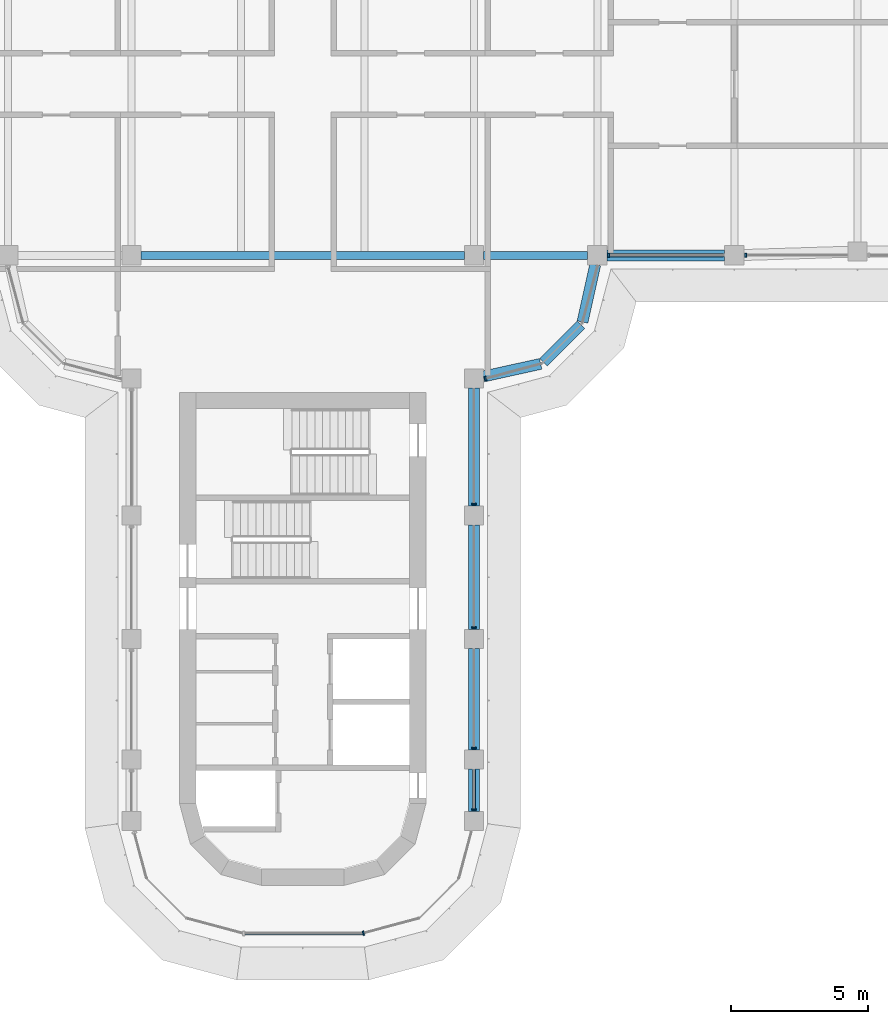
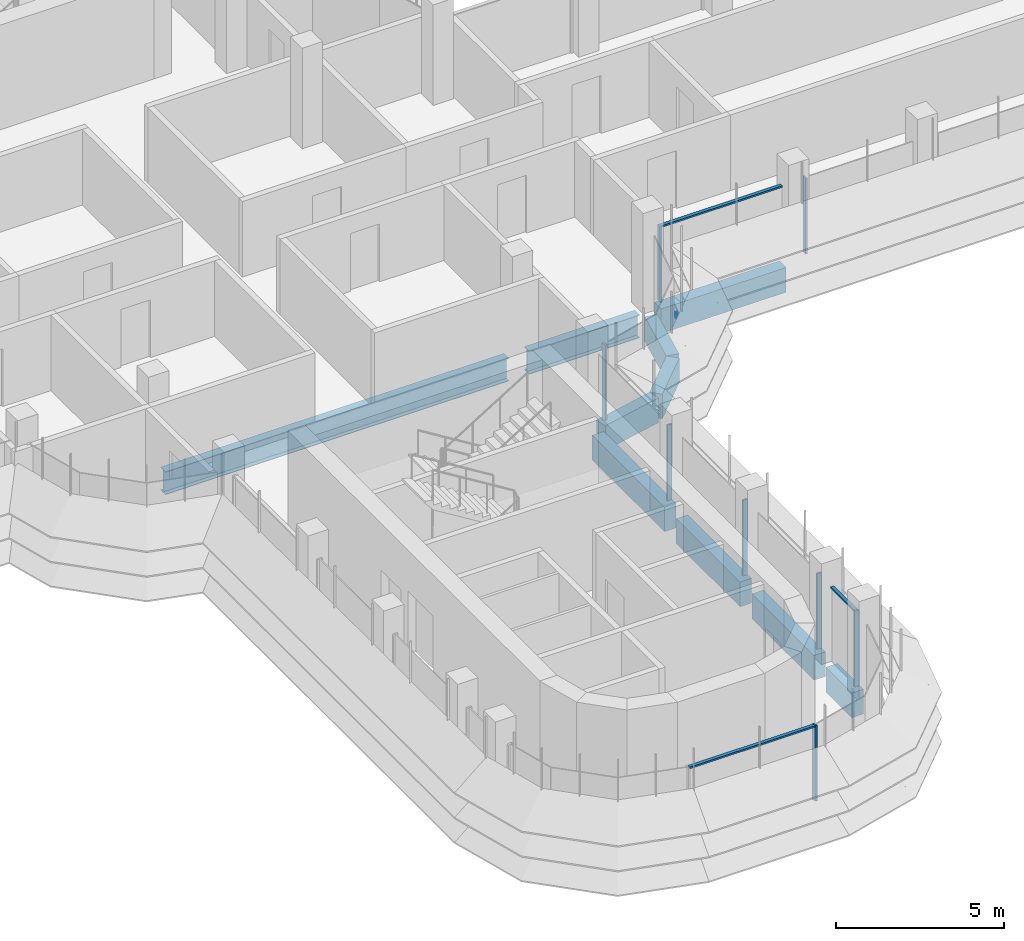
# One storey, part 4 of 19: 11 members, 10 beams, 5 elements without a shape of their own.
"""IFC4 building model written with IfcOpenShell, lengths in metres."""

from ifc_helpers import new_model, si_unit, direction, frame, origin, origin_2d, place, context, subcontext, project, spatial, polyline, rectangle, i_section, outline, extrude, source, transform, mapped, material, material_profile, profile_set, type_object, element, aggregate, save


model = new_model("IFC4")

# Units and contexts
model_context = context("Model", 3, precision=1e-05, world=origin(), true_north=direction((0.0, 1.0)))
body_context = subcontext(model_context, "Body", "Model", "MODEL_VIEW")
ifc_project = project(units=[si_unit("LENGTHUNIT", "METRE"), si_unit("AREAUNIT", "SQUARE_METRE"), si_unit("VOLUMEUNIT", "CUBIC_METRE"), si_unit("PLANEANGLEUNIT", "RADIAN"), si_unit("MASSUNIT", "GRAM", prefix="KILO")], contexts=[model_context])

# Site, building, storey
site_placement = place(None, origin())
site = spatial("IfcSite", under=ifc_project, at=site_placement, CompositionType="ELEMENT")
building_placement = place(site_placement, origin())
building = spatial("IfcBuilding", under=site, at=building_placement, Name="Zarbagh Exchange Tower", CompositionType="ELEMENT")
storey_placement = place(building_placement, frame((0.0, 0.0, 233.39990234375)))
storey = spatial("IfcBuildingStorey", under=building, at=storey_placement, Name="L57", CompositionType="ELEMENT", Elevation=233.39990234375)

# Beams
ifc_material_1 = material(Name="Steel ASTM A992 Gr 50", Category="steel")
ifc_material_profile_1 = material_profile(ifc_material_1, i_section(OverallWidth=0.2919921875, OverallDepth=0.835693359375, WebThickness=0.013916015625, FlangeThickness=0.018798828125, at=origin_2d()), Name="W33X118")
ifc_profile_set_1 = profile_set([ifc_material_profile_1], Name="Steel ASTM A992 Gr 50")
beam_type_1 = type_object("IfcBeamType", Name="Floor girder W33X118", PredefinedType="BEAM", material=ifc_profile_set_1)
beam_1_placement = place(storey_placement, frame((-5.89990234375, -6.25, -0.567626953125), z_axis=(1.0, 0.0, 0.0), x_axis=(0.0, 1.0, 0.0)))
element("IfcBeam", 1, at=beam_1_placement, inside=storey, type_object=beam_type_1, Name="Steel girder", PredefinedType="BEAM", context=body_context, shape_type="SweptSolid", body=[
    extrude(i_section(OverallWidth=0.2919921875, OverallDepth=0.835693359375, WebThickness=0.013916015625, FlangeThickness=0.018798828125, at=origin_2d()), origin(), (0.0, 0.0, 1.0), 11.7998046875),
])
beam_2_placement = place(storey_placement, frame((6.60009765625, -6.25, -0.567626953125), z_axis=(1.0, 0.0, 0.0), x_axis=(0.0, 1.0, 0.0)))
element("IfcBeam", 2, at=beam_2_placement, inside=storey, type_object=beam_type_1, Name="Steel girder", PredefinedType="BEAM", context=body_context, shape_type="SweptSolid", body=[
    extrude(i_section(OverallWidth=0.2919921875, OverallDepth=0.835693359375, WebThickness=0.013916015625, FlangeThickness=0.018798828125, at=origin_2d()), origin(), (0.0, 0.0, 1.0), 3.7998046875),
])
ifc_material_2 = material(Name="Concrete C50/60", Category="concrete")
ifc_material_profile_2 = material_profile(ifc_material_2, rectangle(XDim=0.39990234375, YDim=0.89990234375, at=origin_2d()), Name="RC spandrel beam 400 x 900 C50/60")
ifc_profile_set_2 = profile_set([ifc_material_profile_2], Name="Concrete C50/60")
beam_type_2 = type_object("IfcBeamType", Name="RC spandrel beam 400 x 900 C50/60", PredefinedType="SPANDREL", material=ifc_profile_set_2)
beam_3_placement = place(storey_placement, frame((15.39990234375, -6.25, -0.599853515625), z_axis=(-1.0, 0.0, 0.0), x_axis=(0.0, -1.0, 0.0)))
element("IfcBeam", 3, at=beam_3_placement, inside=storey, type_object=beam_type_2, Name="RC spandrel beam", PredefinedType="SPANDREL", context=body_context, shape_type="SweptSolid", body=[
    extrude(rectangle(XDim=0.39990234375, YDim=0.89990234375, at=origin_2d()), origin(), (0.0, 0.0, 1.0), 4.2998046875),
])
beam_4_placement = place(storey_placement, frame((10.67431640625, -6.591796875, -0.599853515625), z_axis=(-0.216013551096, -0.97639036545, 0.0), x_axis=(0.97639036545, -0.216013551096, 0.0)))
element("IfcBeam", 4, at=beam_4_placement, inside=storey, type_object=beam_type_2, Name="RC spandrel beam", PredefinedType="SPANDREL", context=body_context, shape_type="SweptSolid", body=[
    extrude(rectangle(XDim=0.39990234375, YDim=0.89990234375, at=origin_2d()), origin(), (0.0, 0.0, 1.0), 2.142822265625),
])
beam_5_placement = place(storey_placement, frame((10.15771484375, -8.782470703125, -0.599853515625), z_axis=(-0.707106781187, -0.707106781187, 0.0), x_axis=(0.707106781187, -0.707106781187, 0.0)))
element("IfcBeam", 5, at=beam_5_placement, inside=storey, type_object=beam_type_2, Name="RC spandrel beam", PredefinedType="SPANDREL", context=body_context, shape_type="SweptSolid", body=[
    extrude(rectangle(XDim=0.39990234375, YDim=0.89990234375, at=origin_2d()), origin(), (0.0, 0.0, 1.0), 1.94482421875),
])
beam_6_placement = place(storey_placement, frame((8.68408203125, -10.21142578125, -0.599853515625), z_axis=(-0.97639036545, -0.216013551096, 0.0), x_axis=(0.216013551096, -0.97639036545, 0.0)))
element("IfcBeam", 6, at=beam_6_placement, inside=storey, type_object=beam_type_2, Name="RC spandrel beam", PredefinedType="SPANDREL", context=body_context, shape_type="SweptSolid", body=[
    extrude(rectangle(XDim=0.39990234375, YDim=0.89990234375, at=origin_2d()), origin(), (0.0, 0.0, 1.0), 2.142822265625),
])
beam_7_placement = place(storey_placement, frame((6.25, -11.10009765625, -0.599853515625), z_axis=(0.0, -1.0, 0.0), x_axis=(1.0, 0.0, 0.0)))
element("IfcBeam", 7, at=beam_7_placement, inside=storey, type_object=beam_type_2, Name="RC spandrel beam", PredefinedType="SPANDREL", context=body_context, shape_type="SweptSolid", body=[
    extrude(rectangle(XDim=0.39990234375, YDim=0.89990234375, at=origin_2d()), origin(), (0.0, 0.0, 1.0), 4.2998046875),
])
beam_8_placement = place(storey_placement, frame((6.25, -16.10009765625, -0.599853515625), z_axis=(0.0, -1.0, 0.0), x_axis=(1.0, 0.0, 0.0)))
element("IfcBeam", 8, at=beam_8_placement, inside=storey, type_object=beam_type_2, Name="RC spandrel beam", PredefinedType="SPANDREL", context=body_context, shape_type="SweptSolid", body=[
    extrude(rectangle(XDim=0.39990234375, YDim=0.89990234375, at=origin_2d()), origin(), (0.0, 0.0, 1.0), 3.7998046875),
])
beam_9_placement = place(storey_placement, frame((6.25, -20.60009765625, -0.599853515625), z_axis=(0.0, -1.0, 0.0), x_axis=(1.0, 0.0, 0.0)))
element("IfcBeam", 9, at=beam_9_placement, inside=storey, type_object=beam_type_2, Name="RC spandrel beam", PredefinedType="SPANDREL", context=body_context, shape_type="SweptSolid", body=[
    extrude(rectangle(XDim=0.39990234375, YDim=0.89990234375, at=origin_2d()), origin(), (0.0, 0.0, 1.0), 3.699951171875),
])
beam_10_placement = place(storey_placement, frame((6.25, -25.0, -0.599853515625), z_axis=(0.0, -1.0, 0.0), x_axis=(1.0, 0.0, 0.0)))
element("IfcBeam", 10, at=beam_10_placement, inside=storey, type_object=beam_type_2, Name="RC spandrel beam", PredefinedType="SPANDREL", context=body_context, shape_type="SweptSolid", body=[
    extrude(rectangle(XDim=0.39990234375, YDim=0.89990234375, at=origin_2d()), origin(), (0.0, 0.0, 1.0), 1.550048828125),
])

# Curtain wall, member
ifc_material_3 = material(Name="Anodised aluminium frame and glazing", Category="aluminium")
curtain_wall_type = type_object("IfcCurtainWallType", Name="CWB Ribbon glazing, upper zones", PredefinedType="NOTDEFINED", material=ifc_material_3)
curtain_wall_1_placement = place(storey_placement, origin())
curtain_wall_1 = element("IfcCurtainWall", 11, at=curtain_wall_1_placement, inside=storey, type_object=curtain_wall_type, Name="CWB49 curtain wall", PredefinedType="NOTDEFINED")
ifc_material_4 = material(Name="Anodised aluminium frame", Category="aluminium")
member_type_1 = type_object("IfcMemberType", Name="MUB Mullion, anodised aluminium frame", PredefinedType="MULLION", material=ifc_material_4)
shared_shape_1 = source(origin(), body_context, "Body", "SweptSolid", [
    extrude(outline(polyline([(0.0, -0.080078125), (0.06005859375, -0.080078125), (0.06005859375, 0.080078125), (0.0, 0.080078125), (0.0, -0.080078125)])), origin(), (0.0, 0.0, 1.0), 2.75),
])
placement = place(storey_placement, origin())
member_1 = element("IfcMember", 12, at=placement, type_object=member_type_1, Name="CWB49 mullion 1.1", PredefinedType="MULLION", context=body_context, shape_type="MappedRepresentation", body=[
    mapped(shared_shape_1, transform((2.18408203125, -31.0, 0.0), x_axis=(0.965924289636, 0.258824779902, 0.0), y_axis=(-0.258824779902, 0.965924289636, 0.0), z_axis=(0.0, 0.0, 1.0))),
])
aggregate(curtain_wall_1, [member_1])

# Curtain wall, members
curtain_wall_2_placement = place(storey_placement, origin())
curtain_wall_2 = element("IfcCurtainWall", 13, at=curtain_wall_2_placement, inside=storey, type_object=curtain_wall_type, Name="CWB52 curtain wall", PredefinedType="NOTDEFINED")
member_2 = element("IfcMember", 14, at=placement, type_object=member_type_1, Name="CWB52 mullion 1.1", PredefinedType="MULLION", context=body_context, shape_type="MappedRepresentation", body=[
    mapped(shared_shape_1, transform((6.25, -26.510009765625, 0.0), x_axis=(0.0, 1.0, 0.0), y_axis=(-1.0, 0.0, 0.0), z_axis=(0.0, 0.0, 1.0))),
])
member_3 = element("IfcMember", 15, at=placement, type_object=member_type_1, Name="CWB52 mullion 2.1", PredefinedType="MULLION", context=body_context, shape_type="MappedRepresentation", body=[
    mapped(shared_shape_1, transform((6.25, -24.260009765625, 0.0), x_axis=(0.0, 1.0, 0.0), y_axis=(-1.0, 0.0, 0.0), z_axis=(0.0, 0.0, 1.0))),
])
member_4 = element("IfcMember", 16, at=placement, type_object=member_type_1, Name="CWB52 mullion 3.1", PredefinedType="MULLION", context=body_context, shape_type="MappedRepresentation", body=[
    mapped(shared_shape_1, transform((6.25, -19.85986328125, 0.0), x_axis=(0.0, 1.0, 0.0), y_axis=(-1.0, 0.0, 0.0), z_axis=(0.0, 0.0, 1.0))),
])
member_5 = element("IfcMember", 17, at=placement, type_object=member_type_1, Name="CWB52 mullion 4.1", PredefinedType="MULLION", context=body_context, shape_type="MappedRepresentation", body=[
    mapped(shared_shape_1, transform((6.25, -15.35986328125, 0.0), x_axis=(0.0, 1.0, 0.0), y_axis=(-1.0, 0.0, 0.0), z_axis=(0.0, 0.0, 1.0))),
])

# Curtain wall, member
curtain_wall_3_placement = place(storey_placement, origin())
curtain_wall_3 = element("IfcCurtainWall", 18, at=curtain_wall_3_placement, inside=storey, type_object=curtain_wall_type, Name="CWB05 curtain wall", PredefinedType="NOTDEFINED")
member_6 = element("IfcMember", 19, at=placement, type_object=member_type_1, Name="CWB05 mullion 1.1", PredefinedType="MULLION", context=body_context, shape_type="MappedRepresentation", body=[
    mapped(shared_shape_1, transform((6.64013671875, -10.76171875, 0.0), x_axis=(0.965924289636, 0.258824779902, 0.0), y_axis=(-0.258824779902, 0.965924289636, 0.0), z_axis=(0.0, 0.0, 1.0))),
])
aggregate(curtain_wall_3, [member_6])

# Curtain wall, members
curtain_wall_4_placement = place(storey_placement, origin())
curtain_wall_4 = element("IfcCurtainWall", 20, at=curtain_wall_4_placement, inside=storey, type_object=curtain_wall_type, Name="CWB08 curtain wall", PredefinedType="NOTDEFINED")
member_7 = element("IfcMember", 21, at=placement, type_object=member_type_1, Name="CWB08 mullion 1.1", PredefinedType="MULLION", context=body_context, shape_type="MappedRepresentation", body=[
    mapped(shared_shape_1, transform((11.14013671875, -6.25, 0.0), x_axis=(1.0, 0.0, 0.0), y_axis=(0.0, 1.0, 0.0), z_axis=(0.0, 0.0, 1.0))),
])
member_8 = element("IfcMember", 22, at=placement, type_object=member_type_1, Name="CWB08 mullion 2.1", PredefinedType="MULLION", context=body_context, shape_type="MappedRepresentation", body=[
    mapped(shared_shape_1, transform((16.14013671875, -6.25, 0.0), x_axis=(1.0, 0.0, 0.0), y_axis=(0.0, 1.0, 0.0), z_axis=(0.0, 0.0, 1.0))),
])

# Curtain wall, member
curtain_wall_5_placement = place(storey_placement, origin())
curtain_wall_5 = element("IfcCurtainWall", 23, at=curtain_wall_5_placement, inside=storey, type_object=curtain_wall_type, Name="CWB57 curtain wall", PredefinedType="NOTDEFINED")
member_type_2 = type_object("IfcMemberType", Name="TRB Transom, anodised aluminium frame", PredefinedType="USERDEFINED", material=ifc_material_4)
shared_shape_2 = source(origin(), body_context, "Body", "SweptSolid", [
    extrude(outline(polyline([(-0.06005859375, -0.06005859375), (0.0, -0.06005859375), (0.0, 0.06005859375), (-0.06005859375, 0.06005859375), (-0.06005859375, -0.06005859375)])), origin(), (0.0, 0.0, 1.0), 4.308349609375),
])
member_9 = element("IfcMember", 24, at=placement, type_object=member_type_2, Name="CWB57 transom 1.1", ObjectType="TRANSOM", PredefinedType="USERDEFINED", context=body_context, shape_type="MappedRepresentation", body=[
    mapped(shared_shape_2, transform((-2.124267578125, -31.0, 2.75), x_axis=(0.0, 0.0, 1.0), y_axis=(0.0, -1.0, 0.0), z_axis=(1.0, 0.0, 0.0))),
])
aggregate(curtain_wall_5, [member_9])

# Member
shared_shape_3 = source(origin(), body_context, "Body", "SweptSolid", [
    extrude(outline(polyline([(-0.06005859375, -0.06005859375), (0.0, -0.06005859375), (0.0, 0.06005859375), (-0.06005859375, 0.06005859375), (-0.06005859375, -0.06005859375)])), origin(), (0.0, 0.0, 1.0), 1.409912109375),
])
member_10 = element("IfcMember", 25, at=placement, type_object=member_type_2, Name="CWB52 transom 1.1", ObjectType="TRANSOM", PredefinedType="USERDEFINED", context=body_context, shape_type="MappedRepresentation", body=[
    mapped(shared_shape_3, transform((6.25, -26.449951171875, 2.75), x_axis=(0.0, 0.0, 1.0), y_axis=(1.0, 0.0, 0.0), z_axis=(0.0, 1.0, 0.0))),
])

aggregate(curtain_wall_2, [member_2, member_10, member_3, member_4, member_5])

shared_shape_4 = source(origin(), body_context, "Body", "SweptSolid", [
    extrude(outline(polyline([(-0.06005859375, -0.06005859375), (0.0, -0.06005859375), (0.0, 0.06005859375), (-0.06005859375, 0.06005859375), (-0.06005859375, -0.06005859375)])), origin(), (0.0, 0.0, 1.0), 4.159912109375),
])
member_11 = element("IfcMember", 26, at=placement, type_object=member_type_2, Name="CWB08 transom 1.1", ObjectType="TRANSOM", PredefinedType="USERDEFINED", context=body_context, shape_type="MappedRepresentation", body=[
    mapped(shared_shape_4, transform((11.199951171875, -6.25, 2.75), x_axis=(0.0, 0.0, 1.0), y_axis=(0.0, -1.0, 0.0), z_axis=(1.0, 0.0, 0.0))),
])

aggregate(curtain_wall_4, [member_7, member_11, member_8])

save(model, "model.ifc")
